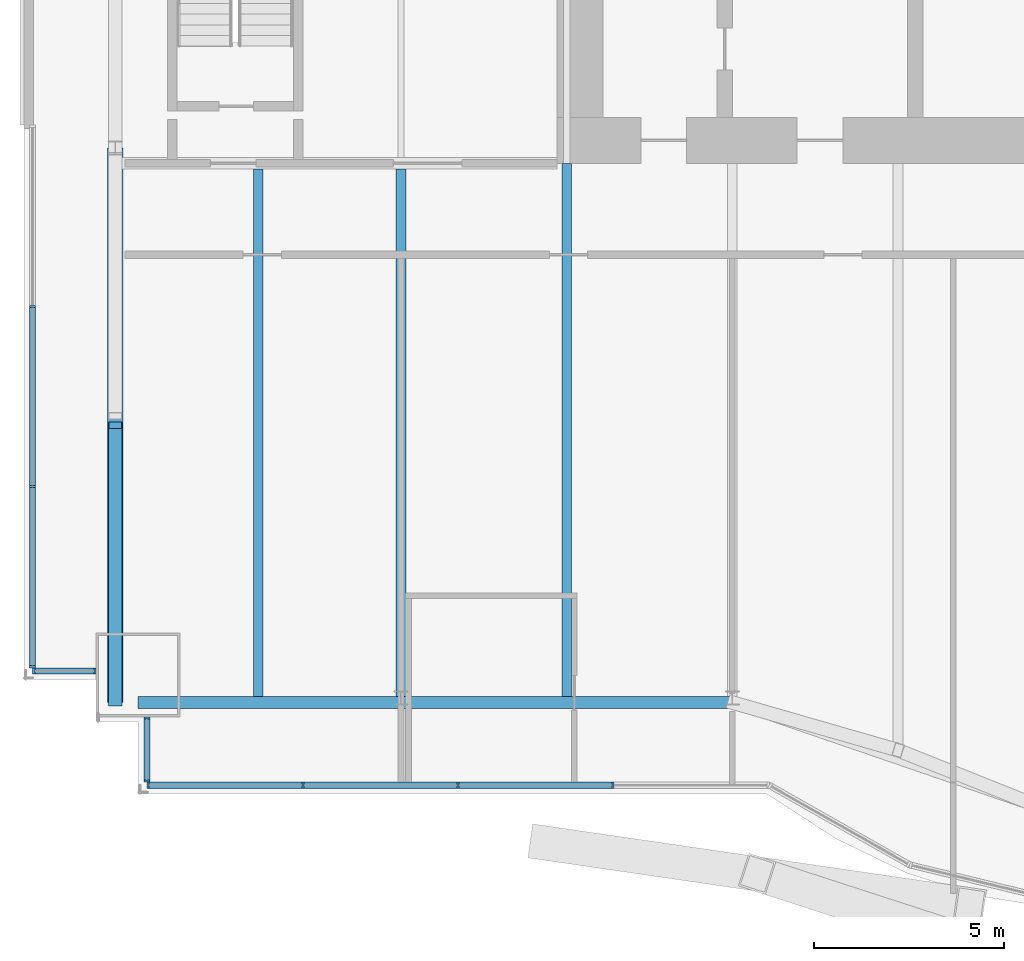
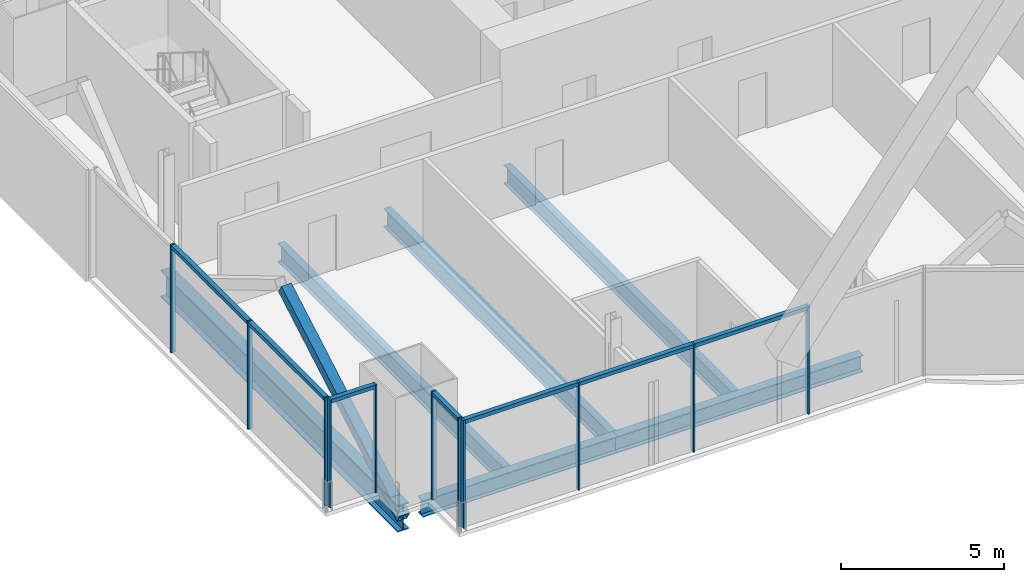
# One storey, part 5 of 22: 19 members, 6 beams, 4 elements without a shape of their own.
"""IFC4 building model written with IfcOpenShell, lengths in metres."""

import ifcopenshell
import ifcopenshell.guid

model = None  # the IFC model being written
_history = None  # IfcOwnerHistory: only IFC2X3 demands one
_inside = {}  # id of a spatial element -> (the spatial element, [elements in it])
_under = {}  # id of a project, library or spatial element -> (it, [spatial elements below it])
_declared = {}  # id of a project -> (the project, [libraries it declares])
_typed = {}  # id of a type object -> (the type object, [elements of that type])
_made_of = {}  # id of a material, layer set ... -> (it, [elements and type objects made of it])


def new_model(schema):
    """Start an empty IFC model of exactly this schema.

    Asked for "IFC4X3", IfcOpenShell would pick the latest addendum, in which some entities
    have other attributes; the version numbers below select the first issue.
    IFC2X3 requires an IfcOwnerHistory on every rooted entity: one is made here for all.
    """
    global model, _history
    if schema == "IFC4X3":
        model = ifcopenshell.file(schema_version=(4, 3, 0, 0))
    else:
        model = ifcopenshell.file(schema=schema)
    _inside.clear()
    _under.clear()
    _declared.clear()
    _typed.clear()
    _made_of.clear()
    _history = None
    if model.schema == "IFC2X3":
        org = make("IfcOrganization", Name="unknown")
        user = make(
            "IfcPersonAndOrganization",
            ThePerson=make("IfcPerson", FamilyName="unknown"),
            TheOrganization=org,
        )
        app = make(
            "IfcApplication",
            ApplicationDeveloper=org,
            Version="unknown",
            ApplicationFullName="unknown",
            ApplicationIdentifier="unknown",
        )
        _history = make(
            "IfcOwnerHistory",
            OwningUser=user,
            OwningApplication=app,
            ChangeAction="ADDED",
            CreationDate=0,
        )
    return model


def make(cls, **values):
    """One entity of the class cls with the attributes given. An attribute that is None is left unset."""
    return model.create_entity(
        cls, **{name: value for name, value in values.items() if value is not None}
    )


def rooted(cls, **values):
    """An entity with a GlobalId (a new one), such as an element, a storey or a relation."""
    return make(cls, GlobalId=ifcopenshell.guid.new(), OwnerHistory=_history, **values)


def si_unit(unit_type, name, prefix=None):
    """IfcSIUnit, for example si_unit("LENGTHUNIT", "METRE", prefix="MILLI")."""
    return make("IfcSIUnit", UnitType=unit_type, Prefix=prefix, Name=name)


def assignment(units):
    """IfcUnitAssignment: the units of a project."""
    return None if units is None else make("IfcUnitAssignment", Units=units)


def point(xyz):
    """IfcCartesianPoint."""
    return None if xyz is None else make("IfcCartesianPoint", Coordinates=xyz)


def direction(xyz):
    """IfcDirection."""
    return None if xyz is None else make("IfcDirection", DirectionRatios=xyz)


def frame(location, z_axis=None, x_axis=None):
    """IfcAxis2Placement3D, a coordinate frame: its origin and axes. An axis left out is left unset."""
    return make(
        "IfcAxis2Placement3D",
        Location=point(location),
        Axis=direction(z_axis),
        RefDirection=direction(x_axis),
    )


def frame_2d(location, x_axis=None):
    """IfcAxis2Placement2D, a coordinate frame in the plane: its origin and x axis."""
    return make(
        "IfcAxis2Placement2D", Location=point(location), RefDirection=direction(x_axis)
    )


def origin():
    """The frame at (0, 0, 0) with its axes left unset."""
    return frame((0.0, 0.0, 0.0))


def origin_2d():
    """The frame at (0, 0) in the plane with its x axis left unset."""
    return frame_2d((0.0, 0.0))


def place(relative_to, where):
    """IfcLocalPlacement: puts the frame where relative to a parent placement (None: the world)."""
    return make(
        "IfcLocalPlacement", PlacementRelTo=relative_to, RelativePlacement=where
    )


def context(
    kind, dimensions, precision=None, world=None, true_north=None, identifier=None
):
    """IfcGeometricRepresentationContext, for example the 3D "Model" context."""
    return make(
        "IfcGeometricRepresentationContext",
        ContextIdentifier=identifier,
        ContextType=kind,
        CoordinateSpaceDimension=dimensions,
        Precision=precision,
        WorldCoordinateSystem=world,
        TrueNorth=true_north,
    )


def subcontext(parent, identifier, kind, view, scale=None):
    """IfcGeometricRepresentationSubContext, for example "Body" below "Model"."""
    return make(
        "IfcGeometricRepresentationSubContext",
        ContextIdentifier=identifier,
        ContextType=kind,
        ParentContext=parent,
        TargetScale=scale,
        TargetView=view,
    )


def project(units=None, contexts=None):
    """IfcProject with its units and contexts."""
    return rooted(
        "IfcProject",
        Name="project",
        RepresentationContexts=contexts,
        UnitsInContext=assignment(units),
    )


def spatial(cls, under=None, at=None, **own):
    """A site, building, storey or space (cls), placed at a placement, below another one or the project."""
    s = rooted(cls, ObjectPlacement=at, **own)
    if under is not None:
        _under.setdefault(under.id(), (under, []))[1].append(s)
    return s


def profile(cls, at=None, kind="AREA", **sizes):
    """A parametric profile (cls). Its sizes go by their IFC names, for example OverallWidth=200.0."""
    return make(cls, ProfileType=kind, Position=at, **sizes)


def rectangle(**sizes):
    """IfcRectangleProfileDef."""
    return profile("IfcRectangleProfileDef", **sizes)


def hollow_rectangle(**sizes):
    """IfcRectangleHollowProfileDef."""
    return profile("IfcRectangleHollowProfileDef", **sizes)


def i_section(**sizes):
    """IfcIShapeProfileDef."""
    return profile("IfcIShapeProfileDef", **sizes)


def extrude(swept, where, along, depth):
    """IfcExtrudedAreaSolid: the profile swept, set in the frame where, extruded along a direction by depth."""
    return make(
        "IfcExtrudedAreaSolid",
        SweptArea=swept,
        Position=where,
        ExtrudedDirection=direction(along),
        Depth=depth,
    )


def shape(context_of_items, identifier, shape_type, items):
    """IfcShapeRepresentation: the items that make up one representation, for example the "Body"."""
    return make(
        "IfcShapeRepresentation",
        ContextOfItems=context_of_items,
        RepresentationIdentifier=identifier,
        RepresentationType=shape_type,
        Items=items,
    )


def material(Name=None, Category=None):
    """IfcMaterial."""
    return make("IfcMaterial", Name=Name, Category=Category)


def material_profile(
    of_material, cross_section, Name=None, Category=None, Priority=None
):
    """IfcMaterialProfile: a cross section and its material."""
    return make(
        "IfcMaterialProfile",
        Name=Name,
        Material=of_material,
        Profile=cross_section,
        Priority=Priority,
        Category=Category,
    )


def profile_set(profiles, Name=None, composite=None):
    """IfcMaterialProfileSet."""
    return make(
        "IfcMaterialProfileSet",
        Name=Name,
        MaterialProfiles=profiles,
        CompositeProfile=composite,
    )


def made_of(thing, what):
    """Note that an element or type object is made of a material, layer set ...; save() writes the relation."""
    if what is not None:
        _made_of.setdefault(what.id(), (what, []))[1].append(thing)
    return thing


def type_object(cls, material=None, **own):
    """A type object (cls), such as IfcWallType, which elements share."""
    return made_of(rooted(cls, **own), material)


def element(
    cls,
    number,
    at=None,
    inside=None,
    cuts=None,
    type_object=None,
    material=None,
    context=None,
    identifier="Body",
    shape_type=None,
    held_by="IfcProductDefinitionShape",
    body=None,
    shapes=None,
    **own,
):
    """One element of the class cls, such as IfcWall. Its Tag is "e" and its number.

    at: its placement. inside: the storey or other place that contains it. cuts: it is an
    opening in that element (IfcRelVoidsElement). A single representation is given by context,
    identifier, shape_type and body (its items); several are given by shapes. held_by: the class
    of the entity that holds the representations. save() writes the other relations.
    """
    e = rooted(cls, Tag="e%d" % number, ObjectPlacement=at, **own)
    if body is not None:
        shapes = [shape(context, identifier, shape_type, body)]
    if shapes is not None:
        e.Representation = make(held_by, Representations=shapes)
    if inside is not None:
        _inside.setdefault(inside.id(), (inside, []))[1].append(e)
    if cuts is not None:
        rooted(
            "IfcRelVoidsElement", RelatingBuildingElement=cuts, RelatedOpeningElement=e
        )
    if type_object is not None:
        _typed.setdefault(type_object.id(), (type_object, []))[1].append(e)
    return made_of(e, material)


def aggregate(whole, parts):
    """IfcRelAggregates: a whole, such as a stair, and the parts it consists of."""
    return rooted("IfcRelAggregates", RelatingObject=whole, RelatedObjects=parts)


def save(model, path):
    """Write the relations noted so far, then the file.

    IfcRelAggregates (storeys below a building ...), IfcRelContainedInSpatialStructure (elements
    in a storey), IfcRelDefinesByType, IfcRelAssociatesMaterial and IfcRelDeclares: one each for
    every whole, place, type object, material and project.
    """
    for whole, parts in _under.values():
        aggregate(whole, parts)
    for where, things in _inside.values():
        rooted(
            "IfcRelContainedInSpatialStructure",
            RelatedElements=things,
            RelatingStructure=where,
        )
    for kind, things in _typed.values():
        rooted("IfcRelDefinesByType", RelatedObjects=things, RelatingType=kind)
    for what, things in _made_of.values():
        rooted("IfcRelAssociatesMaterial", RelatedObjects=things, RelatingMaterial=what)
    for by, libraries in _declared.values():
        rooted("IfcRelDeclares", RelatingContext=by, RelatedDefinitions=libraries)
    model.write(path)


model = new_model("IFC4")

# Units and contexts
model_context = context("Model", 3, precision=1e-05, world=origin(), true_north=direction((0.0, 1.0)))
body_context = subcontext(model_context, "Body", "Model", "MODEL_VIEW")
ifc_project = project(units=[si_unit("LENGTHUNIT", "METRE"), si_unit("AREAUNIT", "SQUARE_METRE"), si_unit("VOLUMEUNIT", "CUBIC_METRE"), si_unit("PLANEANGLEUNIT", "RADIAN"), si_unit("MASSUNIT", "GRAM", prefix="KILO")], contexts=[model_context])

# Site, building, storey
site_placement = place(None, origin())
site = spatial("IfcSite", under=ifc_project, at=site_placement, CompositionType="ELEMENT")
building_placement = place(site_placement, origin())
building = spatial("IfcBuilding", under=site, at=building_placement, Name="Bicima Exchange Tower", CompositionType="ELEMENT")
storey_placement = place(building_placement, frame((0.0, 0.0, 254.0)))
storey = spatial("IfcBuildingStorey", under=building, at=storey_placement, Name="L57", CompositionType="ELEMENT", Elevation=254.0)

# Curtain wall, members
ifc_material_1 = material(Name="Anodised bronze aluminium", Category="aluminium")
curtain_wall_type_1 = type_object("IfcCurtainWallType", Name="End face glass wall", PredefinedType="NOTDEFINED", material=ifc_material_1)
curtain_wall_1_placement = place(storey_placement, origin())
curtain_wall_1 = element("IfcCurtainWall", 1, at=curtain_wall_1_placement, inside=storey, type_object=curtain_wall_type_1, Name="End face glass wall L57 run 2", PredefinedType="NOTDEFINED")
ifc_material_profile_1 = material_profile(ifc_material_1, rectangle(XDim=0.159912109375, YDim=0.06005859375, at=origin_2d()))
ifc_profile_set_1 = profile_set([ifc_material_profile_1], Name="Anodised bronze aluminium")
member_type_1 = type_object("IfcMemberType", Name="End face glass wall mullion 60 x 160", PredefinedType="MULLION", material=ifc_profile_set_1)
member_1_placement = place(storey_placement, frame((-35.77001953125, -16.7587890625, 0.0), z_axis=(0.0, 0.0, 1.0), x_axis=(1.0, 0.0, 0.0)))
member_1 = element("IfcMember", 2, at=member_1_placement, type_object=member_type_1, Name="End face glass wall mullion 2", PredefinedType="MULLION", context=body_context, shape_type="SweptSolid", body=[
    extrude(rectangle(XDim=0.159912109375, YDim=0.06005859375, at=origin_2d()), origin(), (0.0, 0.0, 1.0), 4.050048828125),
])
member_2_placement = place(storey_placement, frame((-35.77001953125, -21.4873046875, 0.0), z_axis=(0.0, 0.0, 1.0), x_axis=(1.0, 0.0, 0.0)))
member_2 = element("IfcMember", 3, at=member_2_placement, type_object=member_type_1, Name="End face glass wall mullion 3", PredefinedType="MULLION", context=body_context, shape_type="SweptSolid", body=[
    extrude(rectangle(XDim=0.159912109375, YDim=0.06005859375, at=origin_2d()), origin(), (0.0, 0.0, 1.0), 4.050048828125),
])
member_3_placement = place(storey_placement, frame((-35.77001953125, -26.216064453125, 0.0), z_axis=(0.0, 0.0, 1.0), x_axis=(1.0, 0.0, 0.0)))
member_3 = element("IfcMember", 4, at=member_3_placement, type_object=member_type_1, Name="End face glass wall mullion 4", PredefinedType="MULLION", context=body_context, shape_type="SweptSolid", body=[
    extrude(rectangle(XDim=0.159912109375, YDim=0.06005859375, at=origin_2d()), origin(), (0.0, 0.0, 1.0), 4.050048828125),
])
ifc_material_profile_2 = material_profile(ifc_material_1, rectangle(XDim=0.159912109375, YDim=0.139892578125, at=origin_2d()))
ifc_profile_set_2 = profile_set([ifc_material_profile_2], Name="Anodised bronze aluminium")
member_type_2 = type_object("IfcMemberType", Name="End face glass wall transom 140 x 160", PredefinedType="USERDEFINED", material=ifc_profile_set_2)
member_4_placement = place(storey_placement, frame((-35.77001953125, -16.788818359375, 3.97998046875), z_axis=(0.0, -1.0, 0.0), x_axis=(1.0, 0.0, 0.0)))
member_4 = element("IfcMember", 5, at=member_4_placement, type_object=member_type_2, Name="End face glass wall transom 2.1", ObjectType="TRANSOM", PredefinedType="USERDEFINED", context=body_context, shape_type="SweptSolid", body=[
    extrude(rectangle(XDim=0.159912109375, YDim=0.139892578125, at=origin_2d()), origin(), (0.0, 0.0, 1.0), 4.66845703125),
])
member_5_placement = place(storey_placement, frame((-35.77001953125, -21.517333984375, 3.97998046875), z_axis=(0.0, -1.0, 0.0), x_axis=(1.0, 0.0, 0.0)))
member_5 = element("IfcMember", 6, at=member_5_placement, type_object=member_type_2, Name="End face glass wall transom 3.1", ObjectType="TRANSOM", PredefinedType="USERDEFINED", context=body_context, shape_type="SweptSolid", body=[
    extrude(rectangle(XDim=0.159912109375, YDim=0.139892578125, at=origin_2d()), origin(), (0.0, 0.0, 1.0), 4.668701171875),
])
aggregate(curtain_wall_1, [member_1, member_2, member_3, member_4, member_5])

# Beams
ifc_material_2 = material(Name="Steel ASTM A992 Gr 50", Category="steel")
ifc_material_profile_3 = material_profile(ifc_material_2, i_section(OverallWidth=0.4013671875, OverallDepth=0.990478515625, WebThickness=0.0166015625, FlangeThickness=0.031005859375, at=origin_2d()))
ifc_profile_set_3 = profile_set([ifc_material_profile_3], Name="Steel ASTM A992 Gr 50")
beam_type_1 = type_object("IfcBeamType", Name="End girder W40x215", PredefinedType="BEAM", material=ifc_profile_set_3)
beam_1_placement = place(storey_placement, frame((-33.60009765625, -12.60009765625, -0.645263671875), z_axis=(0.0, -1.0, 0.0), x_axis=(1.0, 0.0, 0.0)))
element("IfcBeam", 7, at=beam_1_placement, inside=storey, type_object=beam_type_1, Name="End girder", PredefinedType="BEAM", context=body_context, shape_type="SweptSolid", body=[
    extrude(i_section(OverallWidth=0.4013671875, OverallDepth=0.990478515625, WebThickness=0.0166015625, FlangeThickness=0.031005859375, at=origin_2d()), origin(), (0.0, 0.0, 1.0), 14.555908203125),
])
ifc_material_profile_4 = material_profile(ifc_material_2, i_section(OverallWidth=0.25390625, OverallDepth=0.67822265625, WebThickness=0.01171875, FlangeThickness=0.016357421875, at=origin_2d()))
ifc_profile_set_4 = profile_set([ifc_material_profile_4], Name="Steel ASTM A992 Gr 50")
beam_type_2 = type_object("IfcBeamType", Name="Floor beam W27x84", PredefinedType="JOIST", material=ifc_profile_set_4)
for number, where, z_axis, x_axis, name in (
    (8, (-29.85009765625, -13.15234375, -0.489013671875), (0.0, -1.0, 0.0), (1.0, 0.0, 0.0), "Floor beam"),
    (9, (-26.10009765625, -13.15234375, -0.489013671875), (0.0, -1.0, 0.0), (1.0, 0.0, 0.0), "Floor beam"),
):
    element("IfcBeam", number, at=place(storey_placement, frame(where, z_axis=z_axis, x_axis=x_axis)), inside=storey, type_object=beam_type_2, Name=name, PredefinedType="JOIST", context=body_context, shape_type="SweptSolid", body=[
        extrude(i_section(OverallWidth=0.25390625, OverallDepth=0.67822265625, WebThickness=0.01171875, FlangeThickness=0.016357421875, at=origin_2d()), origin(), (0.0, 0.0, 1.0), 13.841064453125),
    ])
beam_2_placement = place(storey_placement, frame((-21.75, -13.0, -0.489013671875), z_axis=(0.0, -1.0, 0.0), x_axis=(1.0, 0.0, 0.0)))
element("IfcBeam", 10, at=beam_2_placement, inside=storey, type_object=beam_type_2, Name="Floor beam", PredefinedType="JOIST", context=body_context, shape_type="SweptSolid", body=[
    extrude(i_section(OverallWidth=0.25390625, OverallDepth=0.67822265625, WebThickness=0.01171875, FlangeThickness=0.016357421875, at=origin_2d()), origin(), (0.0, 0.0, 1.0), 13.993408203125),
])
ifc_material_profile_5 = material_profile(ifc_material_2, i_section(OverallWidth=0.3251953125, OverallDepth=0.612060546875, WebThickness=0.0126953125, FlangeThickness=0.01904296875, at=origin_2d()))
ifc_profile_set_5 = profile_set([ifc_material_profile_5], Name="Steel ASTM A992 Gr 50")
beam_type_3 = type_object("IfcBeamType", Name="Front girder W24x104", PredefinedType="BEAM", material=ifc_profile_set_5)
beam_3_placement = place(storey_placement, frame((-33.0, -27.156005859375, -0.4560546875), z_axis=(1.0, 0.0, 0.0), x_axis=(0.0, 1.0, 0.0)))
element("IfcBeam", 11, at=beam_3_placement, inside=storey, type_object=beam_type_3, Name="Front girder", PredefinedType="BEAM", context=body_context, shape_type="SweptSolid", body=[
    extrude(i_section(OverallWidth=0.3251953125, OverallDepth=0.612060546875, WebThickness=0.0126953125, FlangeThickness=0.01904296875, at=origin_2d()), origin(), (0.0, 0.0, 1.0), 6.89990234375),
])
beam_4_placement = place(storey_placement, frame((-26.10009765625, -27.156005859375, -0.4560546875), z_axis=(1.0, 0.0, 0.0), x_axis=(0.0, 1.0, 0.0)))
element("IfcBeam", 12, at=beam_4_placement, inside=storey, type_object=beam_type_3, Name="Front girder", PredefinedType="BEAM", context=body_context, shape_type="SweptSolid", body=[
    extrude(i_section(OverallWidth=0.3251953125, OverallDepth=0.612060546875, WebThickness=0.0126953125, FlangeThickness=0.01904296875, at=origin_2d()), origin(), (0.0, 0.0, 1.0), 8.7001953125),
])

# Curtain wall, members
curtain_wall_type_2 = type_object("IfcCurtainWallType", Name="Front glass wall", PredefinedType="NOTDEFINED", material=ifc_material_1)
curtain_wall_2_placement = place(storey_placement, origin())
curtain_wall_2 = element("IfcCurtainWall", 13, at=curtain_wall_2_placement, inside=storey, type_object=curtain_wall_type_2, Name="Front glass wall L57 run 3", PredefinedType="NOTDEFINED")
member_type_3 = type_object("IfcMemberType", Name="Front glass wall mullion 60 x 160", PredefinedType="MULLION", material=ifc_profile_set_1)
member_6_placement = place(storey_placement, frame((-35.739990234375, -26.325927734375, 0.0), z_axis=(0.0, 0.0, 1.0), x_axis=(0.0, 1.0, 0.0)))
member_6 = element("IfcMember", 14, at=member_6_placement, type_object=member_type_3, Name="Front glass wall mullion 1", PredefinedType="MULLION", context=body_context, shape_type="SweptSolid", body=[
    extrude(rectangle(XDim=0.159912109375, YDim=0.06005859375, at=origin_2d()), origin(), (0.0, 0.0, 1.0), 4.050048828125),
])
member_7_placement = place(storey_placement, frame((-34.1298828125, -26.325927734375, 0.0), z_axis=(0.0, 0.0, 1.0), x_axis=(0.0, 1.0, 0.0)))
member_7 = element("IfcMember", 15, at=member_7_placement, type_object=member_type_3, Name="Front glass wall mullion 2", PredefinedType="MULLION", context=body_context, shape_type="SweptSolid", body=[
    extrude(rectangle(XDim=0.159912109375, YDim=0.06005859375, at=origin_2d()), origin(), (0.0, 0.0, 1.0), 4.050048828125),
])

curtain_wall_3_placement = place(storey_placement, origin())
curtain_wall_3 = element("IfcCurtainWall", 16, at=curtain_wall_3_placement, inside=storey, type_object=curtain_wall_type_2, Name="Front glass wall L57 run 4", PredefinedType="NOTDEFINED")
member_8_placement = place(storey_placement, frame((-32.77001953125, -27.56396484375, 0.0), z_axis=(0.0, 0.0, 1.0), x_axis=(1.0, 0.0, 0.0)))
member_8 = element("IfcMember", 17, at=member_8_placement, type_object=member_type_3, Name="Front glass wall mullion 1", PredefinedType="MULLION", context=body_context, shape_type="SweptSolid", body=[
    extrude(rectangle(XDim=0.159912109375, YDim=0.06005859375, at=origin_2d()), origin(), (0.0, 0.0, 1.0), 4.050048828125),
])
member_9_placement = place(storey_placement, frame((-32.77001953125, -29.216064453125, 0.0), z_axis=(0.0, 0.0, 1.0), x_axis=(1.0, 0.0, 0.0)))
member_9 = element("IfcMember", 18, at=member_9_placement, type_object=member_type_3, Name="Front glass wall mullion 2", PredefinedType="MULLION", context=body_context, shape_type="SweptSolid", body=[
    extrude(rectangle(XDim=0.159912109375, YDim=0.06005859375, at=origin_2d()), origin(), (0.0, 0.0, 1.0), 4.050048828125),
])

curtain_wall_4_placement = place(storey_placement, origin())
curtain_wall_4 = element("IfcCurtainWall", 19, at=curtain_wall_4_placement, inside=storey, type_object=curtain_wall_type_2, Name="Front glass wall L57 run 5", PredefinedType="NOTDEFINED")
member_10_placement = place(storey_placement, frame((-32.739990234375, -29.325927734375, 0.0), z_axis=(0.0, 0.0, 1.0), x_axis=(0.0, 1.0, 0.0)))
member_10 = element("IfcMember", 20, at=member_10_placement, type_object=member_type_3, Name="Front glass wall mullion 1", PredefinedType="MULLION", context=body_context, shape_type="SweptSolid", body=[
    extrude(rectangle(XDim=0.159912109375, YDim=0.06005859375, at=origin_2d()), origin(), (0.0, 0.0, 1.0), 4.050048828125),
])
member_11_placement = place(storey_placement, frame((-28.67041015625, -29.325927734375, 0.0), z_axis=(0.0, 0.0, 1.0), x_axis=(0.0, 1.0, 0.0)))
member_11 = element("IfcMember", 21, at=member_11_placement, type_object=member_type_3, Name="Front glass wall mullion 2", PredefinedType="MULLION", context=body_context, shape_type="SweptSolid", body=[
    extrude(rectangle(XDim=0.159912109375, YDim=0.06005859375, at=origin_2d()), origin(), (0.0, 0.0, 1.0), 4.050048828125),
])
member_12_placement = place(storey_placement, frame((-24.60107421875, -29.325927734375, 0.0), z_axis=(0.0, 0.0, 1.0), x_axis=(0.0, 1.0, 0.0)))
member_12 = element("IfcMember", 22, at=member_12_placement, type_object=member_type_3, Name="Front glass wall mullion 3", PredefinedType="MULLION", context=body_context, shape_type="SweptSolid", body=[
    extrude(rectangle(XDim=0.159912109375, YDim=0.06005859375, at=origin_2d()), origin(), (0.0, 0.0, 1.0), 4.050048828125),
])
member_13_placement = place(storey_placement, frame((-20.531494140625, -29.325927734375, 0.0), z_axis=(0.0, 0.0, 1.0), x_axis=(0.0, 1.0, 0.0)))
member_13 = element("IfcMember", 23, at=member_13_placement, type_object=member_type_3, Name="Front glass wall mullion 4", PredefinedType="MULLION", context=body_context, shape_type="SweptSolid", body=[
    extrude(rectangle(XDim=0.159912109375, YDim=0.06005859375, at=origin_2d()), origin(), (0.0, 0.0, 1.0), 4.050048828125),
])

# Member
member_type_4 = type_object("IfcMemberType", Name="Front glass wall transom 140 x 160", PredefinedType="USERDEFINED", material=ifc_profile_set_2)
member_14_placement = place(storey_placement, frame((-35.7099609375, -26.325927734375, 3.97998046875), z_axis=(1.0, 0.0, 0.0), x_axis=(0.0, 1.0, 0.0)))
member_14 = element("IfcMember", 24, at=member_14_placement, type_object=member_type_4, Name="Front glass wall transom 1.1", ObjectType="TRANSOM", PredefinedType="USERDEFINED", context=body_context, shape_type="SweptSolid", body=[
    extrude(rectangle(XDim=0.159912109375, YDim=0.139892578125, at=origin_2d()), origin(), (0.0, 0.0, 1.0), 1.550048828125),
])

aggregate(curtain_wall_2, [member_6, member_7, member_14])

member_15_placement = place(storey_placement, frame((-32.77001953125, -27.593994140625, 3.97998046875), z_axis=(0.0, -1.0, 0.0), x_axis=(1.0, 0.0, 0.0)))
member_15 = element("IfcMember", 25, at=member_15_placement, type_object=member_type_4, Name="Front glass wall transom 1.1", ObjectType="TRANSOM", PredefinedType="USERDEFINED", context=body_context, shape_type="SweptSolid", body=[
    extrude(rectangle(XDim=0.159912109375, YDim=0.139892578125, at=origin_2d()), origin(), (0.0, 0.0, 1.0), 1.592041015625),
])

aggregate(curtain_wall_3, [member_8, member_9, member_15])

member_16_placement = place(storey_placement, frame((-32.7099609375, -29.325927734375, 3.97998046875), z_axis=(1.0, 0.0, 0.0), x_axis=(0.0, 1.0, 0.0)))
member_16 = element("IfcMember", 26, at=member_16_placement, type_object=member_type_4, Name="Front glass wall transom 1.1", ObjectType="TRANSOM", PredefinedType="USERDEFINED", context=body_context, shape_type="SweptSolid", body=[
    extrude(rectangle(XDim=0.159912109375, YDim=0.139892578125, at=origin_2d()), origin(), (0.0, 0.0, 1.0), 4.009521484375),
])

member_17_placement = place(storey_placement, frame((-28.640380859375, -29.325927734375, 3.97998046875), z_axis=(1.0, 0.0, 0.0), x_axis=(0.0, 1.0, 0.0)))
member_17 = element("IfcMember", 27, at=member_17_placement, type_object=member_type_4, Name="Front glass wall transom 2.1", ObjectType="TRANSOM", PredefinedType="USERDEFINED", context=body_context, shape_type="SweptSolid", body=[
    extrude(rectangle(XDim=0.159912109375, YDim=0.139892578125, at=origin_2d()), origin(), (0.0, 0.0, 1.0), 4.00927734375),
])

member_18_placement = place(storey_placement, frame((-24.571044921875, -29.325927734375, 3.97998046875), z_axis=(1.0, 0.0, 0.0), x_axis=(0.0, 1.0, 0.0)))
member_18 = element("IfcMember", 28, at=member_18_placement, type_object=member_type_4, Name="Front glass wall transom 3.1", ObjectType="TRANSOM", PredefinedType="USERDEFINED", context=body_context, shape_type="SweptSolid", body=[
    extrude(rectangle(XDim=0.159912109375, YDim=0.139892578125, at=origin_2d()), origin(), (0.0, 0.0, 1.0), 4.009521484375),
])

aggregate(curtain_wall_4, [member_10, member_11, member_12, member_13, member_16, member_17, member_18])

ifc_material_3 = material(Name="Steel ASTM A572 Gr 50", Category="steel")
ifc_material_profile_6 = material_profile(ifc_material_3, hollow_rectangle(XDim=0.355712890625, YDim=0.355712890625, WallThickness=0.0146484375, at=origin_2d()))
ifc_profile_set_6 = profile_set([ifc_material_profile_6], Name="Steel ASTM A572 Gr 50")
member_type_5 = type_object("IfcMemberType", Name="Mega brace HSS14x14x5/8", PredefinedType="BRACE", material=ifc_profile_set_6)
member_19_placement = place(storey_placement, frame((-33.60009765625, -27.156005859375, -0.645263671875), z_axis=(0.0, 0.866130923097, 0.499817190636), x_axis=(-1.0, 0.0, 0.0)))
element("IfcMember", 29, at=member_19_placement, inside=storey, type_object=member_type_5, Name="Mega brace west end", PredefinedType="BRACE", context=body_context, shape_type="SweptSolid", body=[
    extrude(hollow_rectangle(XDim=0.355712890625, YDim=0.355712890625, WallThickness=0.0146484375, at=origin_2d()), origin(), (0.0, 0.0, 1.0), 8.403076171875),
])

save(model, "model.ifc")
